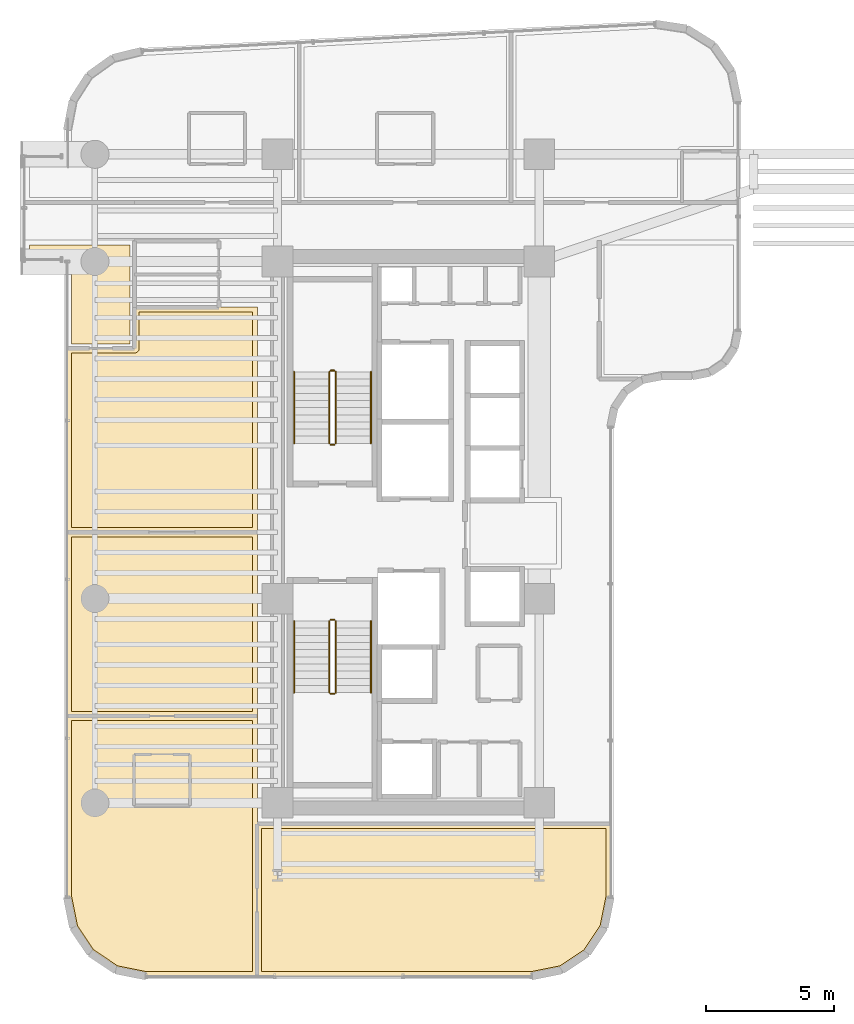
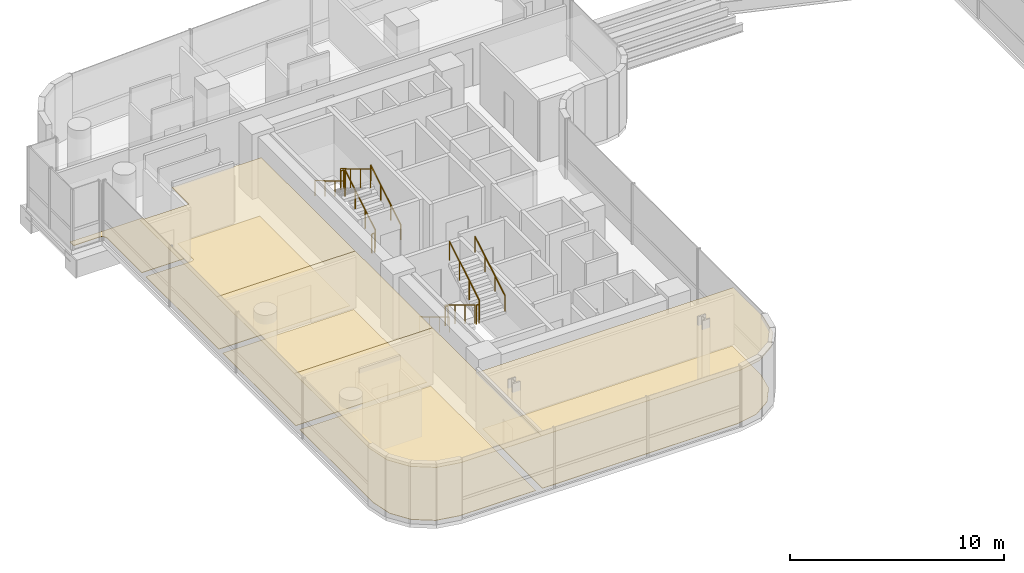
# One storey, part 33 of 36: 12 railings, 9 coverings.
"""IFC4 building model written with IfcOpenShell, lengths in metres."""

from ifc_helpers import new_model, si_unit, direction, frame, origin, origin_2d, place, context, subcontext, project, spatial, polyline, circle, outline, extrude, material, layer, layer_set, type_object, element, save


model = new_model("IFC4")

# Units and contexts
model_context = context("Model", 3, precision=1e-05, world=origin(), true_north=direction((0.0, 1.0)))
body_context = subcontext(model_context, "Body", "Model", "MODEL_VIEW")
ifc_project = project(units=[si_unit("LENGTHUNIT", "METRE"), si_unit("AREAUNIT", "SQUARE_METRE"), si_unit("VOLUMEUNIT", "CUBIC_METRE"), si_unit("PLANEANGLEUNIT", "RADIAN"), si_unit("MASSUNIT", "GRAM", prefix="KILO")], contexts=[model_context])

# Site, building, storey
site_placement = place(None, origin())
site = spatial("IfcSite", under=ifc_project, at=site_placement, CompositionType="ELEMENT")
building_placement = place(site_placement, origin())
building = spatial("IfcBuilding", under=site, at=building_placement, Name="Valdorenza Pilgrim Sanctuary Tower", CompositionType="ELEMENT")
storey_placement = place(building_placement, frame((0.0, 0.0, 153.800048828125)))
storey = spatial("IfcBuildingStorey", under=building, at=storey_placement, Name="L39", CompositionType="ELEMENT", Elevation=153.800048828125)

# Coverings
ifc_material_1 = material(Name="Micro-perforated acoustic mineral ceiling tile", Category="gypsum")
ifc_layer_1 = layer(ifc_material_1, 0.02490234375, Name="Micro-perforated acoustic mineral ceiling tile")
ifc_layer_set_1 = layer_set([ifc_layer_1], Name="Micro-perforated acoustic mineral ceiling tile")
covering_type_1 = type_object("IfcCoveringType", Name="COV-CLG-ACU", PredefinedType="CEILING", material=ifc_layer_set_1)
covering_1_placement = place(storey_placement, frame((0.0, 0.0, 3.159912109375)))
element("IfcCovering", 1, at=covering_1_placement, inside=storey, type_object=covering_type_1, Name="L39 Pilgrim Guest Room L39-CS1 Acoustic Ceiling", PredefinedType="CEILING", context=body_context, shape_type="SweptSolid", body=[
    extrude(outline(polyline([(-23.449951171875, -7.18505859375), (-23.448486328125, -7.18505859375), (-23.447021484375, -7.185302734375), (-23.445556640625, -7.185546875), (-23.4443359375, -7.18603515625), (-23.44287109375, -7.186767578125), (-23.441650390625, -7.1875), (-23.4404296875, -7.1884765625), (-23.439453125, -7.189453125), (-23.4384765625, -7.1904296875), (-23.4375, -7.191650390625), (-23.436767578125, -7.19287109375), (-23.43603515625, -7.1943359375), (-23.435546875, -7.195556640625), (-23.435302734375, -7.197021484375), (-23.43505859375, -7.198486328125), (-23.43505859375, -7.199951171875), (-23.43505859375, -17.389892578125), (-23.43505859375, -17.3916015625), (-23.435302734375, -17.392822265625), (-23.435546875, -17.394287109375), (-23.43603515625, -17.395751953125), (-23.436767578125, -17.397216796875), (-23.4375, -17.398193359375), (-23.4384765625, -17.3994140625), (-23.439453125, -17.400634765625), (-23.4404296875, -17.401611328125), (-23.441650390625, -17.402587890625), (-23.44287109375, -17.4033203125), (-23.4443359375, -17.40380859375), (-23.445556640625, -17.404296875), (-23.447021484375, -17.40478515625), (-23.448486328125, -17.40478515625), (-23.449951171875, -17.405029296875), (-27.789306640625, -17.405029296875), (-27.79052734375, -17.40478515625), (-27.7919921875, -17.40478515625), (-28.984619140625, -17.16748046875), (-28.986083984375, -17.1669921875), (-28.9873046875, -17.16650390625), (-28.98876953125, -17.166015625), (-28.989990234375, -17.165283203125), (-29.99169921875, -16.495849609375), (-29.992919921875, -16.4951171875), (-29.993896484375, -16.493896484375), (-29.9951171875, -16.492919921875), (-29.995849609375, -16.49169921875), (-30.665283203125, -15.489990234375), (-30.666015625, -15.48876953125), (-30.66650390625, -15.4873046875), (-30.6669921875, -15.486083984375), (-30.66748046875, -15.484619140625), (-30.90478515625, -14.2919921875), (-30.90478515625, -14.29052734375), (-30.905029296875, -14.289306640625), (-30.905029296875, -7.199951171875), (-30.90478515625, -7.198486328125), (-30.90478515625, -7.197021484375), (-30.904296875, -7.195556640625), (-30.90380859375, -7.1943359375), (-30.9033203125, -7.19287109375), (-30.902587890625, -7.191650390625), (-30.901611328125, -7.1904296875), (-30.900634765625, -7.189453125), (-30.8994140625, -7.1884765625), (-30.898193359375, -7.1875), (-30.897216796875, -7.186767578125), (-30.895751953125, -7.18603515625), (-30.894287109375, -7.185546875), (-30.892822265625, -7.185302734375), (-30.8916015625, -7.18505859375), (-30.889892578125, -7.18505859375), (-23.449951171875, -7.18505859375)])), origin(), (0.0, 0.0, 1.0), 0.025146484375),
])
covering_2_placement = place(storey_placement, frame((0.0, 0.0, 3.159912109375)))
element("IfcCovering", 2, at=covering_2_placement, inside=storey, type_object=covering_type_1, Name="L39 South Contemplation Salon L39 Acoustic Ceiling", PredefinedType="CEILING", context=body_context, shape_type="SweptSolid", body=[
    extrude(outline(polyline([(-23.43505859375, -7.197998046875), (-23.43505859375, -7.199462890625), (-23.435302734375, -7.200927734375), (-23.435546875, -7.202392578125), (-23.43603515625, -7.20361328125), (-23.436767578125, -7.205078125), (-23.4375, -7.206298828125), (-23.4384765625, -7.20751953125), (-23.439453125, -7.20849609375), (-23.4404296875, -7.209716796875), (-23.441650390625, -7.21044921875), (-23.44287109375, -7.211181640625), (-23.4443359375, -7.2119140625), (-23.445556640625, -7.21240234375), (-23.447021484375, -7.212646484375), (-23.448486328125, -7.212890625), (-23.449951171875, -7.212890625), (-30.889892578125, -7.212890625), (-30.8916015625, -7.212890625), (-30.892822265625, -7.212646484375), (-30.894287109375, -7.21240234375), (-30.895751953125, -7.2119140625), (-30.897216796875, -7.211181640625), (-30.898193359375, -7.21044921875), (-30.8994140625, -7.209716796875), (-30.900634765625, -7.20849609375), (-30.901611328125, -7.20751953125), (-30.902587890625, -7.206298828125), (-30.9033203125, -7.205078125), (-30.90380859375, -7.20361328125), (-30.904296875, -7.202392578125), (-30.90478515625, -7.200927734375), (-30.90478515625, -7.199462890625), (-30.905029296875, -7.197998046875), (-30.905029296875, 0.0), (-30.90478515625, 0.00146484375), (-30.90478515625, 0.0029296875), (-30.904296875, 0.00439453125), (-30.90380859375, 0.005615234375), (-30.9033203125, 0.007080078125), (-30.902587890625, 0.00830078125), (-30.901611328125, 0.009521484375), (-30.900634765625, 0.010498046875), (-30.8994140625, 0.01171875), (-30.898193359375, 0.012451171875), (-30.897216796875, 0.01318359375), (-30.895751953125, 0.013916015625), (-30.894287109375, 0.014404296875), (-30.892822265625, 0.0146484375), (-30.8916015625, 0.014892578125), (-30.889892578125, 0.014892578125), (-23.449951171875, 0.014892578125), (-23.448486328125, 0.014892578125), (-23.447021484375, 0.0146484375), (-23.445556640625, 0.014404296875), (-23.4443359375, 0.013916015625), (-23.44287109375, 0.01318359375), (-23.441650390625, 0.012451171875), (-23.4404296875, 0.01171875), (-23.439453125, 0.010498046875), (-23.4384765625, 0.009521484375), (-23.4375, 0.00830078125), (-23.436767578125, 0.007080078125), (-23.43603515625, 0.005615234375), (-23.435546875, 0.00439453125), (-23.435302734375, 0.0029296875), (-23.43505859375, 0.00146484375), (-23.43505859375, 0.0), (-23.43505859375, -7.197998046875)])), origin(), (0.0, 0.0, 1.0), 0.025146484375),
])
covering_3_placement = place(storey_placement, frame((0.0, 0.0, 3.159912109375)))
element("IfcCovering", 3, at=covering_3_placement, inside=storey, type_object=covering_type_1, Name="L39 North Contemplation Salon L39 Acoustic Ceiling", PredefinedType="CEILING", context=body_context, shape_type="SweptSolid", body=[
    extrude(outline(polyline([(-28.262939453125, 7.212890625), (-28.262939453125, 8.798095703125), (-28.262939453125, 8.799560546875), (-28.2626953125, 8.80078125), (-28.262451171875, 8.802490234375), (-28.261962890625, 8.8037109375), (-28.26123046875, 8.80517578125), (-28.260498046875, 8.806396484375), (-28.259521484375, 8.8076171875), (-28.258544921875, 8.80859375), (-28.257568359375, 8.8095703125), (-28.25634765625, 8.810546875), (-28.255126953125, 8.811279296875), (-28.253662109375, 8.81201171875), (-28.25244140625, 8.8125), (-28.2509765625, 8.812744140625), (-28.24951171875, 8.81298828125), (-28.248046875, 8.81298828125), (-24.955322265625, 8.81298828125), (-24.954833984375, 8.813232421875), (-24.95361328125, 8.81396484375), (-24.9521484375, 8.814453125), (-24.95068359375, 8.814697265625), (-24.949462890625, 8.81494140625), (-24.947998046875, 8.81494140625), (-23.449951171875, 8.81494140625), (-23.448486328125, 8.81494140625), (-23.447021484375, 8.814697265625), (-23.445556640625, 8.814453125), (-23.4443359375, 8.81396484375), (-23.44287109375, 8.813232421875), (-23.441650390625, 8.8125), (-23.4404296875, 8.8115234375), (-23.439453125, 8.810546875), (-23.4384765625, 8.8095703125), (-23.4375, 8.808349609375), (-23.436767578125, 8.80712890625), (-23.43603515625, 8.8056640625), (-23.435546875, 8.804443359375), (-23.435302734375, 8.802978515625), (-23.43505859375, 8.801513671875), (-23.43505859375, 8.800048828125), (-23.43505859375, 0.001953125), (-23.43505859375, 0.00048828125), (-23.435302734375, -0.0009765625), (-23.435546875, -0.00244140625), (-23.43603515625, -0.003662109375), (-23.436767578125, -0.005126953125), (-23.4375, -0.00634765625), (-23.4384765625, -0.007568359375), (-23.439453125, -0.008544921875), (-23.4404296875, -0.009521484375), (-23.441650390625, -0.010498046875), (-23.44287109375, -0.01123046875), (-23.4443359375, -0.011962890625), (-23.445556640625, -0.012451171875), (-23.447021484375, -0.0126953125), (-23.448486328125, -0.012939453125), (-23.449951171875, -0.012939453125), (-30.889892578125, -0.012939453125), (-30.8916015625, -0.012939453125), (-30.892822265625, -0.0126953125), (-30.894287109375, -0.012451171875), (-30.895751953125, -0.011962890625), (-30.897216796875, -0.01123046875), (-30.898193359375, -0.010498046875), (-30.8994140625, -0.009521484375), (-30.900634765625, -0.008544921875), (-30.901611328125, -0.007568359375), (-30.902587890625, -0.00634765625), (-30.9033203125, -0.005126953125), (-30.90380859375, -0.003662109375), (-30.904296875, -0.00244140625), (-30.90478515625, -0.0009765625), (-30.90478515625, 0.00048828125), (-30.905029296875, 0.001953125), (-30.905029296875, 7.197998046875), (-30.90478515625, 7.199462890625), (-30.90478515625, 7.200927734375), (-30.904296875, 7.202392578125), (-30.90380859375, 7.20361328125), (-30.9033203125, 7.205078125), (-30.902587890625, 7.206298828125), (-30.901611328125, 7.20751953125), (-30.900634765625, 7.20849609375), (-30.8994140625, 7.209716796875), (-30.898193359375, 7.21044921875), (-30.897216796875, 7.211181640625), (-30.895751953125, 7.2119140625), (-30.894287109375, 7.21240234375), (-30.892822265625, 7.212646484375), (-30.8916015625, 7.212890625), (-30.889892578125, 7.212890625), (-28.262939453125, 7.212890625)])), origin(), (0.0, 0.0, 1.0), 0.025146484375),
])
covering_4_placement = place(storey_placement, frame((0.0, 0.0, 3.159912109375)))
element("IfcCovering", 4, at=covering_4_placement, inside=storey, type_object=covering_type_1, Name="L39 South Panoramic Viewing Salon L39 Acoustic Ceiling", PredefinedType="CEILING", context=body_context, shape_type="SweptSolid", body=[
    extrude(outline(polyline([(-9.610107421875, -11.405029296875), (-9.6083984375, -11.405029296875), (-9.607177734375, -11.4052734375), (-9.605712890625, -11.405517578125), (-9.604248046875, -11.406005859375), (-9.602783203125, -11.40673828125), (-9.601806640625, -11.407470703125), (-9.6005859375, -11.408447265625), (-9.599365234375, -11.409423828125), (-9.598388671875, -11.410400390625), (-9.597412109375, -11.41162109375), (-9.5966796875, -11.412841796875), (-9.59619140625, -11.414306640625), (-9.595703125, -11.41552734375), (-9.59521484375, -11.4169921875), (-9.59521484375, -11.41845703125), (-9.594970703125, -11.419921875), (-9.594970703125, -14.289306640625), (-9.59521484375, -14.29052734375), (-9.59521484375, -14.2919921875), (-9.83251953125, -15.484619140625), (-9.8330078125, -15.486083984375), (-9.83349609375, -15.4873046875), (-9.833984375, -15.48876953125), (-9.834716796875, -15.489990234375), (-10.504150390625, -16.49169921875), (-10.5048828125, -16.492919921875), (-10.506103515625, -16.493896484375), (-10.507080078125, -16.4951171875), (-10.50830078125, -16.495849609375), (-11.510009765625, -17.165283203125), (-11.51123046875, -17.166015625), (-11.5126953125, -17.16650390625), (-11.513916015625, -17.1669921875), (-11.515380859375, -17.16748046875), (-12.7080078125, -17.40478515625), (-12.70947265625, -17.40478515625), (-12.710693359375, -17.405029296875), (-23.447998046875, -17.405029296875), (-23.449462890625, -17.40478515625), (-23.450927734375, -17.40478515625), (-23.452392578125, -17.404296875), (-23.45361328125, -17.40380859375), (-23.455078125, -17.4033203125), (-23.456298828125, -17.402587890625), (-23.45751953125, -17.401611328125), (-23.45849609375, -17.400634765625), (-23.459716796875, -17.3994140625), (-23.46044921875, -17.398193359375), (-23.461181640625, -17.397216796875), (-23.4619140625, -17.395751953125), (-23.46240234375, -17.394287109375), (-23.462646484375, -17.392822265625), (-23.462890625, -17.3916015625), (-23.462890625, -17.389892578125), (-23.462890625, -11.419921875), (-23.462890625, -11.41845703125), (-23.462646484375, -11.4169921875), (-23.46240234375, -11.41552734375), (-23.4619140625, -11.414306640625), (-23.461181640625, -11.412841796875), (-23.46044921875, -11.41162109375), (-23.459716796875, -11.410400390625), (-23.45849609375, -11.409423828125), (-23.45751953125, -11.408447265625), (-23.456298828125, -11.407470703125), (-23.455078125, -11.40673828125), (-23.45361328125, -11.406005859375), (-23.452392578125, -11.405517578125), (-23.450927734375, -11.4052734375), (-23.449462890625, -11.405029296875), (-23.447998046875, -11.405029296875), (-9.610107421875, -11.405029296875)])), origin(), (0.0, 0.0, 1.0), 0.025146484375),
])
ifc_material_2 = material(Name="Engineered European oak timber flooring", Category="wood")
ifc_layer_2 = layer(ifc_material_2, 0.02197265625, Name="Engineered European oak timber flooring")
ifc_layer_set_2 = layer_set([ifc_layer_2], Name="Engineered European oak timber flooring")
covering_type_2 = type_object("IfcCoveringType", Name="COV-FLR-OAK", PredefinedType="FLOORING", material=ifc_layer_set_2)
covering_5_placement = place(storey_placement, origin())
element("IfcCovering", 5, at=covering_5_placement, inside=storey, type_object=covering_type_2, Name="L39 Pilgrim Guest Room L39-CS1 Flooring", PredefinedType="FLOORING", context=body_context, shape_type="SweptSolid", body=[
    extrude(outline(polyline([(-23.6298828125, -7.3798828125), (-23.6298828125, -17.2099609375), (-27.771484375, -17.2099609375), (-28.911376953125, -16.983154296875), (-29.853515625, -16.353515625), (-30.483154296875, -15.411376953125), (-30.7099609375, -14.271484375), (-30.7099609375, -7.3798828125), (-23.6298828125, -7.3798828125)])), origin(), (0.0, 0.0, 1.0), 0.02490234375),
])
ifc_material_3 = material(Name="Honed travertine stone flooring", Category="masonry")
ifc_layer_3 = layer(ifc_material_3, 0.030029296875, Name="Honed travertine stone flooring")
ifc_layer_set_3 = layer_set([ifc_layer_3], Name="Honed travertine stone flooring")
covering_type_3 = type_object("IfcCoveringType", Name="COV-FLR-TRV", PredefinedType="FLOORING", material=ifc_layer_set_3)
covering_6_placement = place(storey_placement, origin())
element("IfcCovering", 6, at=covering_6_placement, inside=storey, type_object=covering_type_3, Name="L39 Pastoral Scholar Office L39-CN1 Flooring", PredefinedType="FLOORING", context=body_context, shape_type="SweptSolid", body=[
    extrude(outline(polyline([(-28.431884765625, 11.239990234375), (-28.431884765625, 10.10205078125), (-28.431884765625, 10.10107421875), (-28.431884765625, 10.100341796875), (-28.431884765625, 10.10009765625), (-28.431884765625, 8.800048828125), (-28.431884765625, 8.7998046875), (-28.43017578125, 7.3798828125), (-30.7099609375, 7.3798828125), (-30.7099609375, 10.60009765625), (-30.710205078125, 10.60888671875), (-30.710693359375, 10.61962890625), (-30.71240234375, 10.63720703125), (-30.714111328125, 10.64794921875), (-30.717529296875, 10.665283203125), (-30.72021484375, 10.67578125), (-30.725341796875, 10.692626953125), (-30.72900390625, 10.70263671875), (-30.735595703125, 10.718994140625), (-30.740234375, 10.728759765625), (-30.74853515625, 10.744384765625), (-30.754150390625, 10.753662109375), (-30.763916015625, 10.768310546875), (-30.7705078125, 10.777099609375), (-30.781494140625, 10.790771484375), (-30.788818359375, 10.798583984375), (-30.80126953125, 10.811279296875), (-30.809326171875, 10.818359375), (-30.822998046875, 10.82958984375), (-30.831787109375, 10.8359375), (-30.84619140625, 10.845947265625), (-30.855712890625, 10.851318359375), (-30.87109375, 10.859619140625), (-30.880859375, 10.8642578125), (-30.897216796875, 10.87109375), (-30.907470703125, 10.874755859375), (-30.92431640625, 10.8798828125), (-30.934814453125, 10.882568359375), (-30.9521484375, 10.885986328125), (-30.962890625, 10.887451171875), (-30.98046875, 10.889404296875), (-30.9912109375, 10.889892578125), (-31.0, 10.889892578125), (-32.360107421875, 10.889892578125), (-32.360107421875, 11.239990234375), (-28.431884765625, 11.239990234375)])), origin(), (0.0, 0.0, 1.0), 0.02490234375),
])
covering_7_placement = place(storey_placement, origin())
element("IfcCovering", 7, at=covering_7_placement, inside=storey, type_object=covering_type_3, Name="L39 South Contemplation Salon L39 Flooring", PredefinedType="FLOORING", context=body_context, shape_type="SweptSolid", body=[
    extrude(outline(polyline([(-23.6298828125, -7.01806640625), (-30.7099609375, -7.01806640625), (-30.7099609375, -0.179931640625), (-23.6298828125, -0.179931640625), (-23.6298828125, -7.01806640625)])), origin(), (0.0, 0.0, 1.0), 0.02490234375),
])
covering_8_placement = place(storey_placement, origin())
element("IfcCovering", 8, at=covering_8_placement, inside=storey, type_object=covering_type_3, Name="L39 North Contemplation Salon L39 Flooring", PredefinedType="FLOORING", context=body_context, shape_type="SweptSolid", body=[
    extrude(outline(polyline([(-23.6298828125, 8.619873046875), (-23.6298828125, 0.181884765625), (-30.7099609375, 0.181884765625), (-30.7099609375, 7.01806640625), (-28.25, 7.01806640625), (-28.2412109375, 7.018310546875), (-28.240966796875, 7.018310546875), (-28.223388671875, 7.02001953125), (-28.22314453125, 7.02001953125), (-28.205810546875, 7.0234375), (-28.205810546875, 7.0234375), (-28.188720703125, 7.028564453125), (-28.188720703125, 7.02880859375), (-28.17236328125, 7.035400390625), (-28.172119140625, 7.035400390625), (-28.156494140625, 7.043701171875), (-28.156494140625, 7.0439453125), (-28.1416015625, 7.0537109375), (-28.1416015625, 7.053955078125), (-28.1279296875, 7.065185546875), (-28.127685546875, 7.065185546875), (-28.115234375, 7.07763671875), (-28.114990234375, 7.077880859375), (-28.10400390625, 7.091552734375), (-28.103759765625, 7.091796875), (-28.093994140625, 7.1064453125), (-28.09375, 7.1064453125), (-28.08544921875, 7.1220703125), (-28.08544921875, 7.122314453125), (-28.07861328125, 7.138671875), (-28.07861328125, 7.138916015625), (-28.073486328125, 7.15576171875), (-28.073486328125, 7.156005859375), (-28.070068359375, 7.173095703125), (-28.070068359375, 7.17333984375), (-28.068115234375, 7.19091796875), (-28.068115234375, 7.191162109375), (-28.068115234375, 7.199951171875), (-28.068115234375, 8.617919921875), (-24.949951171875, 8.617919921875), (-24.94970703125, 8.617919921875), (-23.6298828125, 8.619873046875)])), origin(), (0.0, 0.0, 1.0), 0.02490234375),
])
covering_9_placement = place(storey_placement, origin())
element("IfcCovering", 9, at=covering_9_placement, inside=storey, type_object=covering_type_3, Name="L39 South Panoramic Viewing Salon L39 Flooring", PredefinedType="FLOORING", context=body_context, shape_type="SweptSolid", body=[
    extrude(outline(polyline([(-9.7900390625, -11.60009765625), (-9.7900390625, -14.271484375), (-10.016845703125, -15.411376953125), (-10.646484375, -16.353515625), (-11.588623046875, -16.983154296875), (-12.728515625, -17.2099609375), (-23.26806640625, -17.2099609375), (-23.26806640625, -11.60009765625), (-9.7900390625, -11.60009765625)])), origin(), (0.0, 0.0, 1.0), 0.02490234375),
])

# Railings
ifc_material_4 = material(Name="Stainless steel Grade 316", Category="steel")
railing_type_1 = type_object("IfcRailingType", Name="RLG-GRD-1120", PredefinedType="GUARDRAIL", material=ifc_material_4)
railing_1_placement = place(storey_placement, frame((-20.3701171875, 3.47998046875, 0.168212890625)))
element("IfcRailing", 10, at=railing_1_placement, inside=storey, type_object=railing_type_1, Name="L39 ST-A1 stair guard 1", PredefinedType="GUARDRAIL", context=body_context, shape_type="SweptSolid", body=[
    extrude(circle(Radius=0.02392578125, at=origin_2d()), frame((0.0, 0.0, 1.076171875), z_axis=(0.0, 0.857275202839, 0.514858452973), x_axis=(-1.0, 0.0, 0.0)), (0.0, 0.0, 1.0), 3.26611328125),
    extrude(circle(Radius=0.02099609375, at=origin_2d()), origin(), (0.0, 0.0, 1.0), 1.052001953125),
    extrude(circle(Radius=0.02099609375, at=origin_2d()), frame((0.0, 0.933349609375, 0.560546875)), (0.0, 0.0, 1.0), 1.052001953125),
    extrude(circle(Radius=0.02099609375, at=origin_2d()), frame((0.0, 1.86669921875, 1.12109375)), (0.0, 0.0, 1.0), 1.052001953125),
    extrude(circle(Radius=0.02099609375, at=origin_2d()), frame((0.0, 2.800048828125, 1.681640625)), (0.0, 0.0, 1.0), 1.052001953125),
])
railing_2_placement = place(storey_placement, frame((-20.419921875, 6.330078125, 1.849853515625)))
element("IfcRailing", 11, at=railing_2_placement, inside=storey, type_object=railing_type_1, Name="L39 ST-A1 stair guard 2", PredefinedType="GUARDRAIL", context=body_context, shape_type="SweptSolid", body=[
    extrude(circle(Radius=0.02392578125, at=origin_2d()), frame((0.0, 0.0, 1.076171875), z_axis=(-1.0, 0.0, 0.0), x_axis=(0.0, -1.0, 0.0)), (0.0, 0.0, 1.0), 0.150146484375),
    extrude(circle(Radius=0.02099609375, at=origin_2d()), origin(), (0.0, 0.0, 1.0), 1.052001953125),
    extrude(circle(Radius=0.02099609375, at=origin_2d()), frame((-0.150146484375, 0.0, 0.0)), (0.0, 0.0, 1.0), 1.052001953125),
])
railing_3_placement = place(storey_placement, frame((-20.6201171875, 6.280029296875, 2.01806640625)))
element("IfcRailing", 12, at=railing_3_placement, inside=storey, type_object=railing_type_1, Name="L39 ST-A1 stair guard 3", PredefinedType="GUARDRAIL", context=body_context, shape_type="SweptSolid", body=[
    extrude(circle(Radius=0.02392578125, at=origin_2d()), frame((0.0, 0.0, 1.076171875), z_axis=(0.0, -0.857242210791, 0.514913383045), x_axis=(1.0, 0.0, 0.0)), (0.0, 0.0, 1.0), 3.266357421875),
    extrude(circle(Radius=0.02099609375, at=origin_2d()), origin(), (0.0, 0.0, 1.0), 1.052001953125),
    extrude(circle(Radius=0.02099609375, at=origin_2d()), frame((0.0, -0.933349609375, 0.560546875)), (0.0, 0.0, 1.0), 1.052001953125),
    extrude(circle(Radius=0.02099609375, at=origin_2d()), frame((0.0, -1.86669921875, 1.121337890625)), (0.0, 0.0, 1.0), 1.052001953125),
    extrude(circle(Radius=0.02099609375, at=origin_2d()), frame((0.0, -2.800048828125, 1.681884765625)), (0.0, 0.0, 1.0), 1.052001953125),
])
railing_4_placement = place(storey_placement, frame((-20.419921875, 3.429931640625, 0.0)))
element("IfcRailing", 13, at=railing_4_placement, inside=storey, type_object=railing_type_1, Name="L39 ST-A1 stair guard 4", PredefinedType="GUARDRAIL", context=body_context, shape_type="SweptSolid", body=[
    extrude(circle(Radius=0.02392578125, at=origin_2d()), frame((0.0, 0.0, 1.076171875), z_axis=(-1.0, 0.0, 0.0), x_axis=(0.0, -1.0, 0.0)), (0.0, 0.0, 1.0), 0.150146484375),
    extrude(circle(Radius=0.02099609375, at=origin_2d()), origin(), (0.0, 0.0, 1.0), 1.052001953125),
    extrude(circle(Radius=0.02099609375, at=origin_2d()), frame((-0.150146484375, 0.0, 0.0)), (0.0, 0.0, 1.0), 1.052001953125),
])
railing_5_placement = place(storey_placement, frame((-20.6201171875, -3.47998046875, 0.168212890625)))
element("IfcRailing", 14, at=railing_5_placement, inside=storey, type_object=railing_type_1, Name="L39 ST-A2 stair guard 1", PredefinedType="GUARDRAIL", context=body_context, shape_type="SweptSolid", body=[
    extrude(circle(Radius=0.02392578125, at=origin_2d()), frame((0.0, 0.0, 1.076171875), z_axis=(0.0, -0.857275202839, 0.514858452973), x_axis=(1.0, 0.0, 0.0)), (0.0, 0.0, 1.0), 3.26611328125),
    extrude(circle(Radius=0.02099609375, at=origin_2d()), origin(), (0.0, 0.0, 1.0), 1.052001953125),
    extrude(circle(Radius=0.02099609375, at=origin_2d()), frame((0.0, -0.933349609375, 0.560546875)), (0.0, 0.0, 1.0), 1.052001953125),
    extrude(circle(Radius=0.02099609375, at=origin_2d()), frame((0.0, -1.86669921875, 1.12109375)), (0.0, 0.0, 1.0), 1.052001953125),
    extrude(circle(Radius=0.02099609375, at=origin_2d()), frame((0.0, -2.800048828125, 1.681640625)), (0.0, 0.0, 1.0), 1.052001953125),
])
railing_6_placement = place(storey_placement, frame((-20.570068359375, -6.330078125, 1.849853515625)))
element("IfcRailing", 15, at=railing_6_placement, inside=storey, type_object=railing_type_1, Name="L39 ST-A2 stair guard 2", PredefinedType="GUARDRAIL", context=body_context, shape_type="SweptSolid", body=[
    extrude(circle(Radius=0.02392578125, at=origin_2d()), frame((0.0, 0.0, 1.076171875), z_axis=(1.0, 0.0, 0.0), x_axis=(0.0, 1.0, 0.0)), (0.0, 0.0, 1.0), 0.150146484375),
    extrude(circle(Radius=0.02099609375, at=origin_2d()), origin(), (0.0, 0.0, 1.0), 1.052001953125),
    extrude(circle(Radius=0.02099609375, at=origin_2d()), frame((0.150146484375, 0.0, 0.0)), (0.0, 0.0, 1.0), 1.052001953125),
])
railing_7_placement = place(storey_placement, frame((-20.3701171875, -6.280029296875, 2.01806640625)))
element("IfcRailing", 16, at=railing_7_placement, inside=storey, type_object=railing_type_1, Name="L39 ST-A2 stair guard 3", PredefinedType="GUARDRAIL", context=body_context, shape_type="SweptSolid", body=[
    extrude(circle(Radius=0.02392578125, at=origin_2d()), frame((0.0, 0.0, 1.076171875), z_axis=(0.0, 0.857242210791, 0.514913383045), x_axis=(-1.0, 0.0, 0.0)), (0.0, 0.0, 1.0), 3.266357421875),
    extrude(circle(Radius=0.02099609375, at=origin_2d()), origin(), (0.0, 0.0, 1.0), 1.052001953125),
    extrude(circle(Radius=0.02099609375, at=origin_2d()), frame((0.0, 0.933349609375, 0.560546875)), (0.0, 0.0, 1.0), 1.052001953125),
    extrude(circle(Radius=0.02099609375, at=origin_2d()), frame((0.0, 1.86669921875, 1.121337890625)), (0.0, 0.0, 1.0), 1.052001953125),
    extrude(circle(Radius=0.02099609375, at=origin_2d()), frame((0.0, 2.800048828125, 1.681884765625)), (0.0, 0.0, 1.0), 1.052001953125),
])
railing_8_placement = place(storey_placement, frame((-20.570068359375, -3.429931640625, 0.0)))
element("IfcRailing", 17, at=railing_8_placement, inside=storey, type_object=railing_type_1, Name="L39 ST-A2 stair guard 4", PredefinedType="GUARDRAIL", context=body_context, shape_type="SweptSolid", body=[
    extrude(circle(Radius=0.02392578125, at=origin_2d()), frame((0.0, 0.0, 1.076171875), z_axis=(1.0, 0.0, 0.0), x_axis=(0.0, 1.0, 0.0)), (0.0, 0.0, 1.0), 0.150146484375),
    extrude(circle(Radius=0.02099609375, at=origin_2d()), origin(), (0.0, 0.0, 1.0), 1.052001953125),
    extrude(circle(Radius=0.02099609375, at=origin_2d()), frame((0.150146484375, 0.0, 0.0)), (0.0, 0.0, 1.0), 1.052001953125),
])
ifc_material_5 = material(Name="Brushed stainless steel Grade 316", Category="steel")
railing_type_2 = type_object("IfcRailingType", Name="RLG-HND-920", PredefinedType="HANDRAIL", material=ifc_material_5)
railing_9_placement = place(storey_placement, frame((-18.989990234375, 3.47998046875, 0.168212890625)))
element("IfcRailing", 18, at=railing_9_placement, inside=storey, type_object=railing_type_2, Name="L39 ST-A1 stair handrail 1", PredefinedType="HANDRAIL", context=body_context, shape_type="SweptSolid", body=[
    extrude(circle(Radius=0.02392578125, at=origin_2d()), frame((0.0, 0.0, 0.8759765625), z_axis=(0.0, 0.857275202839, 0.514858452973), x_axis=(-1.0, 0.0, 0.0)), (0.0, 0.0, 1.0), 3.26611328125),
    extrude(circle(Radius=0.02099609375, at=origin_2d()), origin(), (0.0, 0.0, 1.0), 0.851806640625),
    extrude(circle(Radius=0.02099609375, at=origin_2d()), frame((0.0, 0.933349609375, 0.560546875)), (0.0, 0.0, 1.0), 0.851806640625),
    extrude(circle(Radius=0.02099609375, at=origin_2d()), frame((0.0, 1.86669921875, 1.12109375)), (0.0, 0.0, 1.0), 0.851806640625),
    extrude(circle(Radius=0.02099609375, at=origin_2d()), frame((0.0, 2.800048828125, 1.681640625)), (0.0, 0.0, 1.0), 0.851806640625),
])
railing_10_placement = place(storey_placement, frame((-22.0, 6.280029296875, 2.01806640625)))
element("IfcRailing", 19, at=railing_10_placement, inside=storey, type_object=railing_type_2, Name="L39 ST-A1 stair handrail 2", PredefinedType="HANDRAIL", context=body_context, shape_type="SweptSolid", body=[
    extrude(circle(Radius=0.02392578125, at=origin_2d()), frame((0.0, 0.0, 0.8759765625), z_axis=(0.0, -0.857242210791, 0.514913383045), x_axis=(1.0, 0.0, 0.0)), (0.0, 0.0, 1.0), 3.266357421875),
    extrude(circle(Radius=0.02099609375, at=origin_2d()), origin(), (0.0, 0.0, 1.0), 0.851806640625),
    extrude(circle(Radius=0.02099609375, at=origin_2d()), frame((0.0, -0.933349609375, 0.560546875)), (0.0, 0.0, 1.0), 0.851806640625),
    extrude(circle(Radius=0.02099609375, at=origin_2d()), frame((0.0, -1.86669921875, 1.121337890625)), (0.0, 0.0, 1.0), 0.851806640625),
    extrude(circle(Radius=0.02099609375, at=origin_2d()), frame((0.0, -2.800048828125, 1.681884765625)), (0.0, 0.0, 1.0), 0.851806640625),
])
railing_11_placement = place(storey_placement, frame((-22.0, -3.47998046875, 0.168212890625)))
element("IfcRailing", 20, at=railing_11_placement, inside=storey, type_object=railing_type_2, Name="L39 ST-A2 stair handrail 1", PredefinedType="HANDRAIL", context=body_context, shape_type="SweptSolid", body=[
    extrude(circle(Radius=0.02392578125, at=origin_2d()), frame((0.0, 0.0, 0.8759765625), z_axis=(0.0, -0.857275202839, 0.514858452973), x_axis=(1.0, 0.0, 0.0)), (0.0, 0.0, 1.0), 3.26611328125),
    extrude(circle(Radius=0.02099609375, at=origin_2d()), origin(), (0.0, 0.0, 1.0), 0.851806640625),
    extrude(circle(Radius=0.02099609375, at=origin_2d()), frame((0.0, -0.933349609375, 0.560546875)), (0.0, 0.0, 1.0), 0.851806640625),
    extrude(circle(Radius=0.02099609375, at=origin_2d()), frame((0.0, -1.86669921875, 1.12109375)), (0.0, 0.0, 1.0), 0.851806640625),
    extrude(circle(Radius=0.02099609375, at=origin_2d()), frame((0.0, -2.800048828125, 1.681640625)), (0.0, 0.0, 1.0), 0.851806640625),
])
railing_12_placement = place(storey_placement, frame((-18.989990234375, -6.280029296875, 2.01806640625)))
element("IfcRailing", 21, at=railing_12_placement, inside=storey, type_object=railing_type_2, Name="L39 ST-A2 stair handrail 2", PredefinedType="HANDRAIL", context=body_context, shape_type="SweptSolid", body=[
    extrude(circle(Radius=0.02392578125, at=origin_2d()), frame((0.0, 0.0, 0.8759765625), z_axis=(0.0, 0.857242210791, 0.514913383045), x_axis=(-1.0, 0.0, 0.0)), (0.0, 0.0, 1.0), 3.266357421875),
    extrude(circle(Radius=0.02099609375, at=origin_2d()), origin(), (0.0, 0.0, 1.0), 0.851806640625),
    extrude(circle(Radius=0.02099609375, at=origin_2d()), frame((0.0, 0.933349609375, 0.560546875)), (0.0, 0.0, 1.0), 0.851806640625),
    extrude(circle(Radius=0.02099609375, at=origin_2d()), frame((0.0, 1.86669921875, 1.121337890625)), (0.0, 0.0, 1.0), 0.851806640625),
    extrude(circle(Radius=0.02099609375, at=origin_2d()), frame((0.0, 2.800048828125, 1.681884765625)), (0.0, 0.0, 1.0), 0.851806640625),
])

save(model, "model.ifc")
